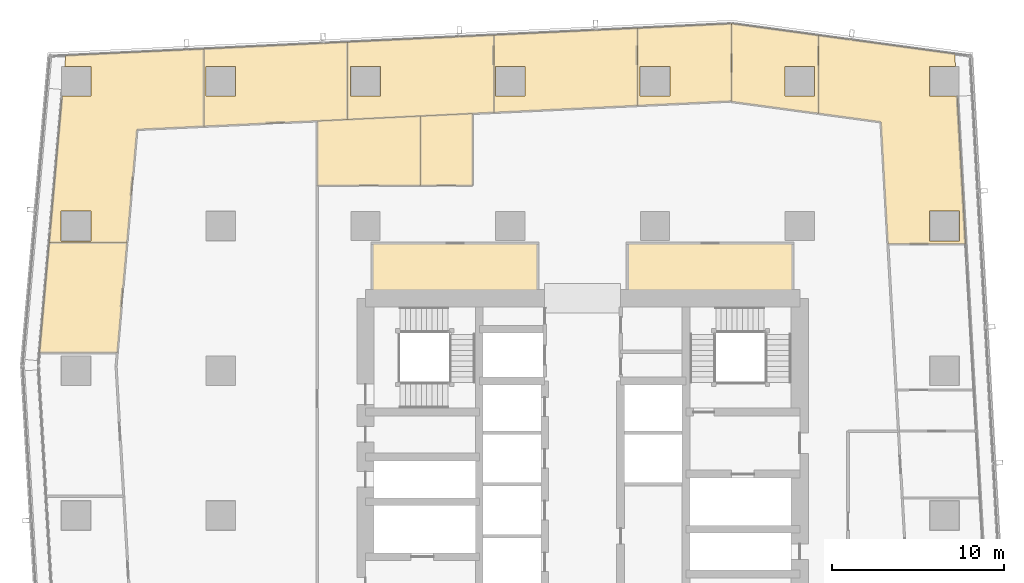
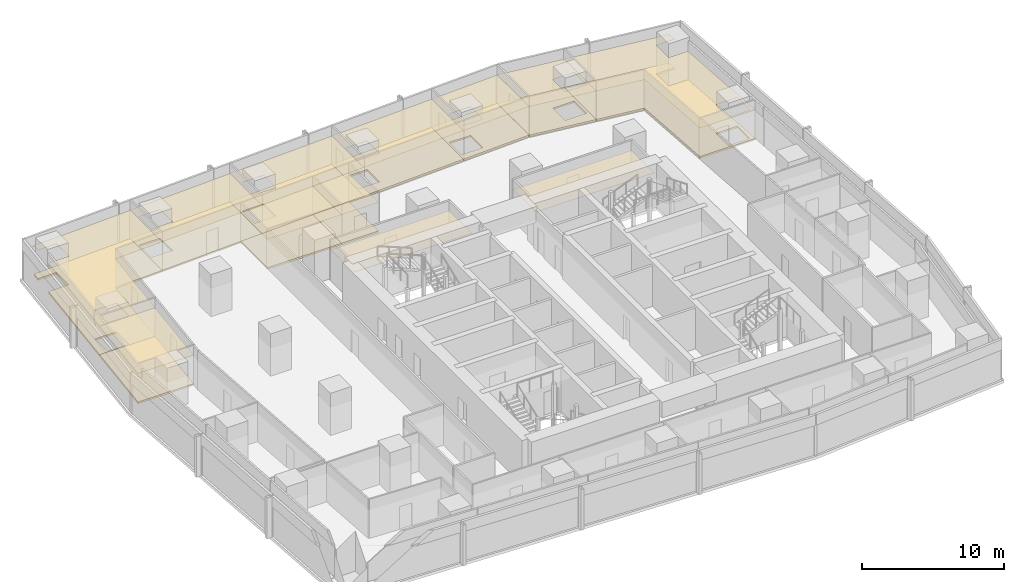
# One storey, part 39 of 39: 22 coverings.
"""IFC4 building model written with IfcOpenShell, lengths in metres."""

from ifc_helpers import new_model, si_unit, direction, frame, origin, place, context, subcontext, project, spatial, polyline, outline, extrude, material, layer, layer_set, type_object, element, save


model = new_model("IFC4")

# Units and contexts
model_context = context("Model", 3, precision=1e-05, world=origin(), true_north=direction((0.0, 1.0)))
body_context = subcontext(model_context, "Body", "Model", "MODEL_VIEW")
ifc_project = project(units=[si_unit("LENGTHUNIT", "METRE"), si_unit("AREAUNIT", "SQUARE_METRE"), si_unit("VOLUMEUNIT", "CUBIC_METRE"), si_unit("PLANEANGLEUNIT", "RADIAN"), si_unit("MASSUNIT", "GRAM", prefix="KILO")], contexts=[model_context])

# Site, building, storey
site_placement = place(None, origin())
site = spatial("IfcSite", under=ifc_project, at=site_placement, CompositionType="ELEMENT")
building_placement = place(site_placement, origin())
building = spatial("IfcBuilding", under=site, at=building_placement, Name="Rekha Terrace Tower", CompositionType="ELEMENT")
storey_placement = place(building_placement, frame((0.0, 0.0, 180.199951171875)))
storey = spatial("IfcBuildingStorey", under=building, at=storey_placement, Name="L45", CompositionType="ELEMENT", Elevation=180.199951171875)

# Coverings
ifc_material_1 = material(Name="Mineral fibre tile in exposed grid", Category="finish")
ifc_layer_1 = layer(ifc_material_1, 0.02001953125)
ifc_layer_set_1 = layer_set([ifc_layer_1], Name="Mineral fibre tile in exposed grid")
covering_type_1 = type_object("IfcCoveringType", Name="CL1 600x1200 office grid ceiling", PredefinedType="CEILING", material=ifc_layer_set_1)
covering_1_placement = place(storey_placement, frame((0.0, 0.0, 2.580078125)))
element("IfcCovering", 1, at=covering_1_placement, inside=storey, type_object=covering_type_1, Name="Ceiling L45-12", PredefinedType="CEILING", context=body_context, shape_type="SweptSolid", body=[
    extrude(outline(polyline([(51.485107421875, 56.926025390625), (55.10888671875, 56.43310546875), (55.511962890625, 49.346923828125), (60.01904296875, 49.346923828125), (59.531005859375, 57.93505859375), (57.93505859375, 57.93505859375), (57.93505859375, 59.6650390625), (59.43310546875, 59.6650390625), (59.39208984375, 60.39208984375), (51.485107421875, 61.468017578125), (51.485107421875, 56.926025390625)]), holes=[polyline([(59.6650390625, 51.264892578125), (59.6650390625, 49.534912109375), (57.93505859375, 49.534912109375), (57.93505859375, 51.264892578125), (59.6650390625, 51.264892578125)])]), origin(), (0.0, 0.0, 1.0), 0.02001953125),
])
covering_2_placement = place(storey_placement, frame((0.0, 0.0, 2.580078125)))
element("IfcCovering", 2, at=covering_2_placement, inside=storey, type_object=covering_type_1, Name="Ceiling L45-13", PredefinedType="CEILING", context=body_context, shape_type="SweptSolid", body=[
    extrude(outline(polyline([(51.48388671875, 56.927001953125), (51.48388671875, 61.468017578125), (46.445068359375, 62.154052734375), (46.445068359375, 57.612060546875), (51.48388671875, 56.927001953125)]), holes=[polyline([(51.264892578125, 57.93505859375), (49.534912109375, 57.93505859375), (49.534912109375, 59.6650390625), (51.264892578125, 59.6650390625), (51.264892578125, 57.93505859375)])]), origin(), (0.0, 0.0, 1.0), 0.02001953125),
])
covering_3_placement = place(storey_placement, frame((0.0, 0.0, 2.580078125)))
element("IfcCovering", 3, at=covering_3_placement, inside=storey, type_object=covering_type_1, Name="Ceiling L45-14", PredefinedType="CEILING", context=body_context, shape_type="SweptSolid", body=[
    extrude(outline(polyline([(46.444091796875, 62.14697265625), (40.97802734375, 61.885986328125), (40.97802734375, 57.381103515625), (46.444091796875, 57.64208984375), (46.444091796875, 62.14697265625)]), holes=[polyline([(42.864990234375, 59.6650390625), (42.864990234375, 57.93505859375), (41.135009765625, 57.93505859375), (41.135009765625, 59.6650390625), (42.864990234375, 59.6650390625)])]), origin(), (0.0, 0.0, 1.0), 0.02001953125),
])
covering_4_placement = place(storey_placement, frame((0.0, 0.0, 2.580078125)))
element("IfcCovering", 4, at=covering_4_placement, inside=storey, type_object=covering_type_1, Name="Ceiling L45-15", PredefinedType="CEILING", context=body_context, shape_type="SweptSolid", body=[
    extrude(outline(polyline([(40.97705078125, 57.381103515625), (40.97705078125, 61.885986328125), (32.64990234375, 61.488037109375), (32.64990234375, 56.98291015625), (40.97705078125, 57.381103515625)]), holes=[polyline([(34.465087890625, 57.93505859375), (32.735107421875, 57.93505859375), (32.735107421875, 59.6650390625), (34.465087890625, 59.6650390625), (34.465087890625, 57.93505859375)])]), origin(), (0.0, 0.0, 1.0), 0.02001953125),
])
covering_5_placement = place(storey_placement, frame((0.0, 0.0, 2.580078125)))
element("IfcCovering", 5, at=covering_5_placement, inside=storey, type_object=covering_type_1, Name="Ceiling L45-16", PredefinedType="CEILING", context=body_context, shape_type="SweptSolid", body=[
    extrude(outline(polyline([(32.64892578125, 56.98291015625), (32.64892578125, 61.488037109375), (24.14306640625, 61.0810546875), (24.14306640625, 56.575927734375), (32.64892578125, 56.98291015625)]), holes=[polyline([(26.06494140625, 57.93505859375), (24.3349609375, 57.93505859375), (24.3349609375, 59.6650390625), (26.06494140625, 59.6650390625), (26.06494140625, 57.93505859375)])]), origin(), (0.0, 0.0, 1.0), 0.02001953125),
])
covering_6_placement = place(storey_placement, frame((0.0, 0.0, 2.580078125)))
element("IfcCovering", 6, at=covering_6_placement, inside=storey, type_object=covering_type_1, Name="Ceiling L45-17", PredefinedType="CEILING", context=body_context, shape_type="SweptSolid", body=[
    extrude(outline(polyline([(24.14208984375, 56.575927734375), (24.14208984375, 61.0810546875), (15.81591796875, 60.68310546875), (15.81591796875, 56.177978515625), (24.14208984375, 56.575927734375)]), holes=[polyline([(17.6650390625, 59.6650390625), (17.6650390625, 57.93505859375), (15.93505859375, 57.93505859375), (15.93505859375, 59.6650390625), (17.6650390625, 59.6650390625)])]), origin(), (0.0, 0.0, 1.0), 0.02001953125),
])
covering_7_placement = place(storey_placement, frame((0.0, 0.0, 2.580078125)))
element("IfcCovering", 7, at=covering_7_placement, inside=storey, type_object=covering_type_1, Name="Ceiling L45-18", PredefinedType="CEILING", context=body_context, shape_type="SweptSolid", body=[
    extrude(outline(polyline([(7.592041015625, 57.93505859375), (6.841064453125, 49.427978515625), (11.35888671875, 49.427978515625), (11.93798828125, 55.992919921875), (15.81494140625, 56.177978515625), (15.81494140625, 60.68310546875), (7.801025390625, 60.300048828125), (7.7451171875, 59.6650390625), (9.264892578125, 59.6650390625), (9.264892578125, 57.93505859375), (7.592041015625, 57.93505859375)]), holes=[polyline([(9.264892578125, 49.534912109375), (7.534912109375, 49.534912109375), (7.534912109375, 51.264892578125), (9.264892578125, 51.264892578125), (9.264892578125, 49.534912109375)])]), origin(), (0.0, 0.0, 1.0), 0.02001953125),
])
covering_8_placement = place(storey_placement, frame((0.0, 0.0, 2.580078125)))
element("IfcCovering", 8, at=covering_8_placement, inside=storey, type_object=covering_type_1, Name="Ceiling L45-19", PredefinedType="CEILING", context=body_context, shape_type="SweptSolid", body=[
    extrude(outline(polyline([(11.35791015625, 49.427001953125), (6.841064453125, 49.427001953125), (6.277099609375, 43.044921875), (10.794921875, 43.044921875), (11.35791015625, 49.427001953125)])), origin(), (0.0, 0.0, 1.0), 0.02001953125),
])
covering_9_placement = place(storey_placement, frame((0.0, 0.0, 2.580078125)))
element("IfcCovering", 9, at=covering_9_placement, inside=storey, type_object=covering_type_1, Name="Ceiling L45-22", PredefinedType="CEILING", context=body_context, shape_type="SweptSolid", body=[
    extrude(outline(polyline([(28.39990234375, 56.780029296875), (24.14208984375, 56.575927734375), (22.39990234375, 56.492919921875), (22.39990234375, 52.75), (28.39990234375, 52.75), (28.39990234375, 56.780029296875)])), origin(), (0.0, 0.0, 1.0), 0.02001953125),
])
covering_10_placement = place(storey_placement, frame((0.0, 0.0, 2.580078125)))
element("IfcCovering", 10, at=covering_10_placement, inside=storey, type_object=covering_type_1, Name="Ceiling L45-23", PredefinedType="CEILING", context=body_context, shape_type="SweptSolid", body=[
    extrude(outline(polyline([(31.39990234375, 52.75), (31.39990234375, 56.923095703125), (28.39990234375, 56.780029296875), (28.39990234375, 52.75), (31.39990234375, 52.75)])), origin(), (0.0, 0.0, 1.0), 0.02001953125),
])
ifc_material_2 = material(Name="Fibre cement board", Category="finish")
ifc_layer_2 = layer(ifc_material_2, 0.014892578125)
ifc_layer_set_2 = layer_set([ifc_layer_2], Name="Fibre cement board")
covering_type_2 = type_object("IfcCoveringType", Name="CL2 moisture-resistant board ceiling", PredefinedType="CEILING", material=ifc_layer_set_2)
covering_11_placement = place(storey_placement, frame((0.0, 0.0, 2.5849609375)))
element("IfcCovering", 11, at=covering_11_placement, inside=storey, type_object=covering_type_2, Name="Ceiling L45-WCF", PredefinedType="CEILING", context=body_context, shape_type="SweptSolid", body=[
    extrude(outline(polyline([(50.0, 49.39990234375), (40.39990234375, 49.39990234375), (40.39990234375, 46.199951171875), (50.0, 46.199951171875), (50.0, 49.39990234375)])), origin(), (0.0, 0.0, 1.0), 0.01513671875),
])
covering_12_placement = place(storey_placement, frame((0.0, 0.0, 2.5849609375)))
element("IfcCovering", 12, at=covering_12_placement, inside=storey, type_object=covering_type_2, Name="Ceiling L45-WCF2", PredefinedType="CEILING", context=body_context, shape_type="SweptSolid", body=[
    extrude(outline(polyline([(35.199951171875, 49.39990234375), (25.60009765625, 49.39990234375), (25.60009765625, 46.199951171875), (35.199951171875, 46.199951171875), (35.199951171875, 49.39990234375)])), origin(), (0.0, 0.0, 1.0), 0.01513671875),
])
ifc_material_3 = material(Name="Calcium sulphate panels on steel pedestals", Category="steel")
ifc_layer_3 = layer(ifc_material_3, 0.14990234375)
ifc_layer_set_3 = layer_set([ifc_layer_3], Name="Calcium sulphate panels on steel pedestals")
covering_type_3 = type_object("IfcCoveringType", Name="RF1 150 raised access floor", PredefinedType="FLOORING", material=ifc_layer_set_3)
covering_13_placement = place(storey_placement, origin())
element("IfcCovering", 13, at=covering_13_placement, inside=storey, type_object=covering_type_3, Name="Raised floor L45-12", PredefinedType="FLOORING", context=body_context, shape_type="SweptSolid", body=[
    extrude(outline(polyline([(51.485107421875, 56.926025390625), (55.10888671875, 56.43310546875), (55.511962890625, 49.346923828125), (60.01904296875, 49.346923828125), (59.531005859375, 57.93505859375), (57.93505859375, 57.93505859375), (57.93505859375, 59.6650390625), (59.43310546875, 59.6650390625), (59.39208984375, 60.39208984375), (51.485107421875, 61.468017578125), (51.485107421875, 56.926025390625)]), holes=[polyline([(59.6650390625, 51.264892578125), (59.6650390625, 49.534912109375), (57.93505859375, 49.534912109375), (57.93505859375, 51.264892578125), (59.6650390625, 51.264892578125)])]), origin(), (0.0, 0.0, 1.0), 0.150146484375),
])
covering_14_placement = place(storey_placement, origin())
element("IfcCovering", 14, at=covering_14_placement, inside=storey, type_object=covering_type_3, Name="Raised floor L45-13", PredefinedType="FLOORING", context=body_context, shape_type="SweptSolid", body=[
    extrude(outline(polyline([(51.48388671875, 56.927001953125), (51.48388671875, 61.468017578125), (46.445068359375, 62.154052734375), (46.445068359375, 57.612060546875), (51.48388671875, 56.927001953125)]), holes=[polyline([(51.264892578125, 57.93505859375), (49.534912109375, 57.93505859375), (49.534912109375, 59.6650390625), (51.264892578125, 59.6650390625), (51.264892578125, 57.93505859375)])]), origin(), (0.0, 0.0, 1.0), 0.150146484375),
])
covering_15_placement = place(storey_placement, origin())
element("IfcCovering", 15, at=covering_15_placement, inside=storey, type_object=covering_type_3, Name="Raised floor L45-14", PredefinedType="FLOORING", context=body_context, shape_type="SweptSolid", body=[
    extrude(outline(polyline([(46.444091796875, 62.14697265625), (40.97802734375, 61.885986328125), (40.97802734375, 57.381103515625), (46.444091796875, 57.64208984375), (46.444091796875, 62.14697265625)]), holes=[polyline([(42.864990234375, 59.6650390625), (42.864990234375, 57.93505859375), (41.135009765625, 57.93505859375), (41.135009765625, 59.6650390625), (42.864990234375, 59.6650390625)])]), origin(), (0.0, 0.0, 1.0), 0.150146484375),
])
covering_16_placement = place(storey_placement, origin())
element("IfcCovering", 16, at=covering_16_placement, inside=storey, type_object=covering_type_3, Name="Raised floor L45-15", PredefinedType="FLOORING", context=body_context, shape_type="SweptSolid", body=[
    extrude(outline(polyline([(40.97705078125, 57.381103515625), (40.97705078125, 61.885986328125), (32.64990234375, 61.488037109375), (32.64990234375, 56.98291015625), (40.97705078125, 57.381103515625)]), holes=[polyline([(34.465087890625, 57.93505859375), (32.735107421875, 57.93505859375), (32.735107421875, 59.6650390625), (34.465087890625, 59.6650390625), (34.465087890625, 57.93505859375)])]), origin(), (0.0, 0.0, 1.0), 0.150146484375),
])
covering_17_placement = place(storey_placement, origin())
element("IfcCovering", 17, at=covering_17_placement, inside=storey, type_object=covering_type_3, Name="Raised floor L45-16", PredefinedType="FLOORING", context=body_context, shape_type="SweptSolid", body=[
    extrude(outline(polyline([(32.64892578125, 56.98291015625), (32.64892578125, 61.488037109375), (24.14306640625, 61.0810546875), (24.14306640625, 56.575927734375), (32.64892578125, 56.98291015625)]), holes=[polyline([(26.06494140625, 57.93505859375), (24.3349609375, 57.93505859375), (24.3349609375, 59.6650390625), (26.06494140625, 59.6650390625), (26.06494140625, 57.93505859375)])]), origin(), (0.0, 0.0, 1.0), 0.150146484375),
])
covering_18_placement = place(storey_placement, origin())
element("IfcCovering", 18, at=covering_18_placement, inside=storey, type_object=covering_type_3, Name="Raised floor L45-17", PredefinedType="FLOORING", context=body_context, shape_type="SweptSolid", body=[
    extrude(outline(polyline([(24.14208984375, 56.575927734375), (24.14208984375, 61.0810546875), (15.81591796875, 60.68310546875), (15.81591796875, 56.177978515625), (24.14208984375, 56.575927734375)]), holes=[polyline([(17.6650390625, 59.6650390625), (17.6650390625, 57.93505859375), (15.93505859375, 57.93505859375), (15.93505859375, 59.6650390625), (17.6650390625, 59.6650390625)])]), origin(), (0.0, 0.0, 1.0), 0.150146484375),
])
covering_19_placement = place(storey_placement, origin())
element("IfcCovering", 19, at=covering_19_placement, inside=storey, type_object=covering_type_3, Name="Raised floor L45-18", PredefinedType="FLOORING", context=body_context, shape_type="SweptSolid", body=[
    extrude(outline(polyline([(7.592041015625, 57.93505859375), (6.841064453125, 49.427978515625), (11.35888671875, 49.427978515625), (11.93798828125, 55.992919921875), (15.81494140625, 56.177978515625), (15.81494140625, 60.68310546875), (7.801025390625, 60.300048828125), (7.7451171875, 59.6650390625), (9.264892578125, 59.6650390625), (9.264892578125, 57.93505859375), (7.592041015625, 57.93505859375)]), holes=[polyline([(9.264892578125, 49.534912109375), (7.534912109375, 49.534912109375), (7.534912109375, 51.264892578125), (9.264892578125, 51.264892578125), (9.264892578125, 49.534912109375)])]), origin(), (0.0, 0.0, 1.0), 0.150146484375),
])
covering_20_placement = place(storey_placement, origin())
element("IfcCovering", 20, at=covering_20_placement, inside=storey, type_object=covering_type_3, Name="Raised floor L45-19", PredefinedType="FLOORING", context=body_context, shape_type="SweptSolid", body=[
    extrude(outline(polyline([(11.35791015625, 49.427001953125), (6.841064453125, 49.427001953125), (6.277099609375, 43.044921875), (10.794921875, 43.044921875), (11.35791015625, 49.427001953125)])), origin(), (0.0, 0.0, 1.0), 0.150146484375),
])
covering_21_placement = place(storey_placement, origin())
element("IfcCovering", 21, at=covering_21_placement, inside=storey, type_object=covering_type_3, Name="Raised floor L45-22", PredefinedType="FLOORING", context=body_context, shape_type="SweptSolid", body=[
    extrude(outline(polyline([(28.39990234375, 56.780029296875), (24.14208984375, 56.575927734375), (22.39990234375, 56.492919921875), (22.39990234375, 52.75), (28.39990234375, 52.75), (28.39990234375, 56.780029296875)])), origin(), (0.0, 0.0, 1.0), 0.150146484375),
])
covering_22_placement = place(storey_placement, origin())
element("IfcCovering", 22, at=covering_22_placement, inside=storey, type_object=covering_type_3, Name="Raised floor L45-23", PredefinedType="FLOORING", context=body_context, shape_type="SweptSolid", body=[
    extrude(outline(polyline([(31.39990234375, 52.75), (31.39990234375, 56.923095703125), (28.39990234375, 56.780029296875), (28.39990234375, 52.75), (31.39990234375, 52.75)])), origin(), (0.0, 0.0, 1.0), 0.150146484375),
])

save(model, "model.ifc")
